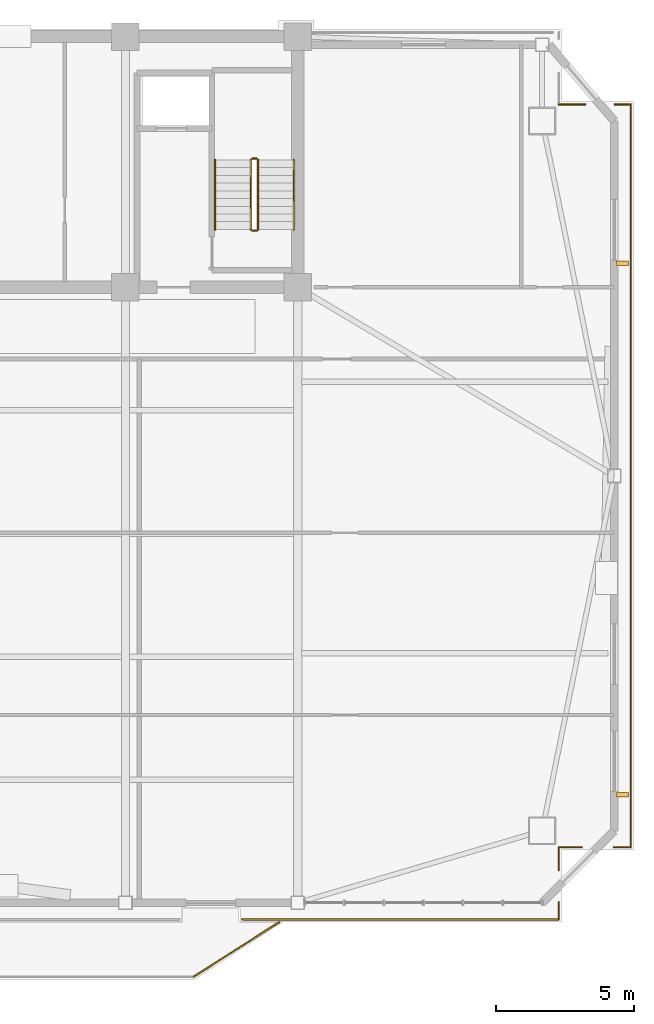
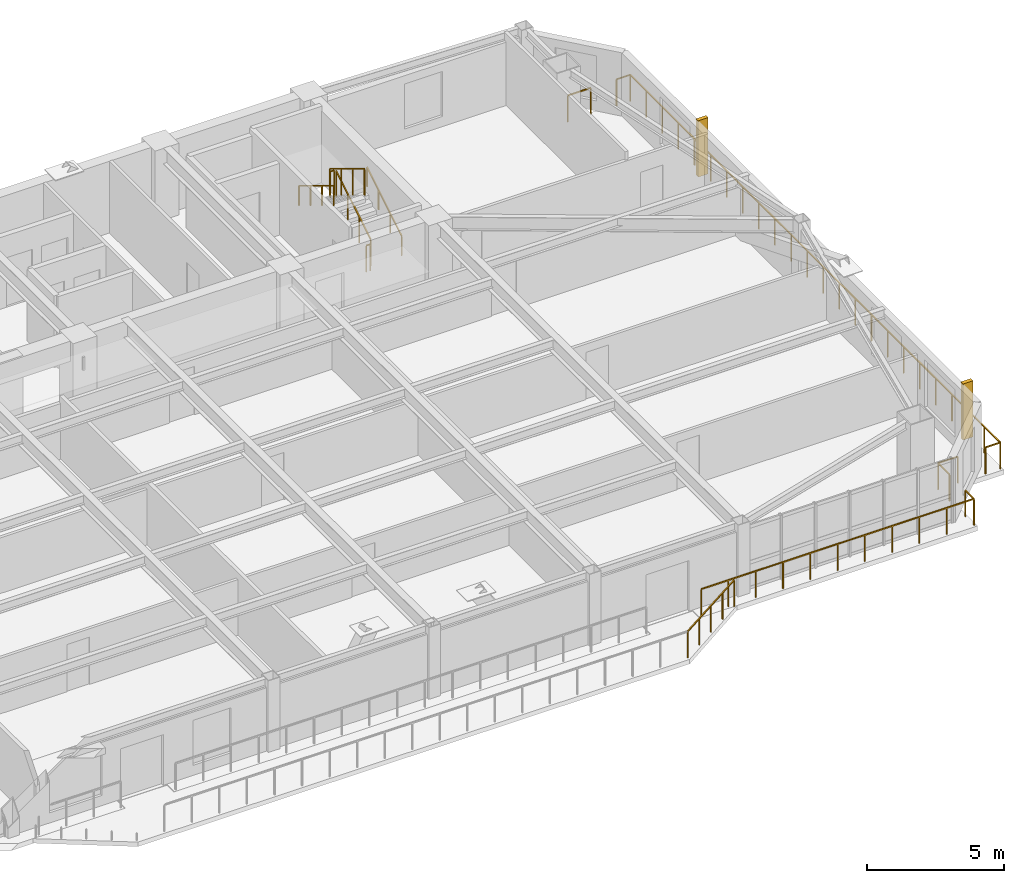
# One storey, part 15 of 17: 15 railings, 2 shading devices.
"""IFC4 building model written with IfcOpenShell, lengths in metres."""

from ifc_helpers import new_model, si_unit, direction, frame, origin, origin_2d, place, context, subcontext, project, spatial, rectangle, extrude, source, transform, mapped, material, type_object, element, save


model = new_model("IFC4")

# Units and contexts
model_context = context("Model", 3, precision=1e-05, world=origin(), true_north=direction((0.0, 1.0)))
body_context = subcontext(model_context, "Body", "Model", "MODEL_VIEW")
ifc_project = project(units=[si_unit("LENGTHUNIT", "METRE"), si_unit("AREAUNIT", "SQUARE_METRE"), si_unit("VOLUMEUNIT", "CUBIC_METRE"), si_unit("PLANEANGLEUNIT", "RADIAN"), si_unit("MASSUNIT", "GRAM", prefix="KILO")], contexts=[model_context])

# Site, building, storey
site_placement = place(None, origin())
site = spatial("IfcSite", under=ifc_project, at=site_placement, CompositionType="ELEMENT")
building_placement = place(site_placement, origin())
building = spatial("IfcBuilding", under=site, at=building_placement, Name="Giltprow Tower", CompositionType="ELEMENT")
storey_placement = place(building_placement, frame((0.0, 0.0, 251.89990234375)))
storey = spatial("IfcBuildingStorey", under=building, at=storey_placement, Name="L64", CompositionType="ELEMENT", Elevation=251.89990234375)

# Railings
ifc_material = material(Name="Anodized bronze", Category="metal")
railing_type_1 = type_object("IfcRailingType", Name="RAIL-BALC-GUARD-1200", PredefinedType="BALUSTRADE", material=ifc_material)
railing_1_placement = place(storey_placement, frame((46.780029296875, 12.43310546875, 0.0)))
element("IfcRailing", 1, at=railing_1_placement, inside=storey, type_object=railing_type_1, Name="L64 Waterfront Balcony Balustrade Seg 3", PredefinedType="BALUSTRADE", context=body_context, shape_type="SweptSolid", body=[
    extrude(rectangle(XDim=0.048095703125, YDim=0.048095703125, at=origin_2d()), frame((0.0, 0.0, 1.17578125), z_axis=(0.842755646126, 0.538296313309, 0.0), x_axis=(-0.538296313309, 0.842755646126, 0.0)), (0.0, 0.0, 1.0), 3.67822265625),
    extrude(rectangle(XDim=0.0419921875, YDim=0.0419921875, at=origin_2d()), origin(), (0.0, 0.0, 1.0), 1.15185546875),
    extrude(rectangle(XDim=0.0419921875, YDim=0.0419921875, at=origin_2d()), frame((0.77490234375, 0.4951171875, 0.0)), (0.0, 0.0, 1.0), 1.15185546875),
    extrude(rectangle(XDim=0.0419921875, YDim=0.0419921875, at=origin_2d()), frame((1.5498046875, 0.989990234375, 0.0)), (0.0, 0.0, 1.0), 1.15185546875),
    extrude(rectangle(XDim=0.0419921875, YDim=0.0419921875, at=origin_2d()), frame((2.324951171875, 1.48486328125, 0.0)), (0.0, 0.0, 1.0), 1.15185546875),
    extrude(rectangle(XDim=0.0419921875, YDim=0.0419921875, at=origin_2d()), frame((3.099853515625, 1.97998046875, 0.0)), (0.0, 0.0, 1.0), 1.15185546875),
])
railing_2_placement = place(storey_placement, frame((62.636962890625, 44.083984375, 0.0)))
element("IfcRailing", 2, at=railing_2_placement, inside=storey, type_object=railing_type_1, Name="L64 Corner Apron Edge Balustrade 1", PredefinedType="BALUSTRADE", context=body_context, shape_type="SweptSolid", body=[
    extrude(rectangle(XDim=0.048095703125, YDim=0.048095703125, at=origin_2d()), frame((0.0, 0.0, 1.17578125), z_axis=(0.0, -1.0, 0.0), x_axis=(1.0, 0.0, 0.0)), (0.0, 0.0, 1.0), 26.9560546875),
    extrude(rectangle(XDim=0.0419921875, YDim=0.0419921875, at=origin_2d()), origin(), (0.0, 0.0, 1.0), 1.15185546875),
    extrude(rectangle(XDim=0.0419921875, YDim=0.0419921875, at=origin_2d()), frame((0.0, -1.172119140625, 0.0)), (0.0, 0.0, 1.0), 1.15185546875),
    extrude(rectangle(XDim=0.0419921875, YDim=0.0419921875, at=origin_2d()), frame((0.0, -2.343994140625, 0.0)), (0.0, 0.0, 1.0), 1.15185546875),
    extrude(rectangle(XDim=0.0419921875, YDim=0.0419921875, at=origin_2d()), frame((0.0, -3.51611328125, 0.0)), (0.0, 0.0, 1.0), 1.15185546875),
    extrude(rectangle(XDim=0.0419921875, YDim=0.0419921875, at=origin_2d()), frame((0.0, -4.68798828125, 0.0)), (0.0, 0.0, 1.0), 1.15185546875),
    extrude(rectangle(XDim=0.0419921875, YDim=0.0419921875, at=origin_2d()), frame((0.0, -5.860107421875, 0.0)), (0.0, 0.0, 1.0), 1.15185546875),
    extrude(rectangle(XDim=0.0419921875, YDim=0.0419921875, at=origin_2d()), frame((0.0, -7.031982421875, 0.0)), (0.0, 0.0, 1.0), 1.15185546875),
    extrude(rectangle(XDim=0.0419921875, YDim=0.0419921875, at=origin_2d()), frame((0.0, -8.2041015625, 0.0)), (0.0, 0.0, 1.0), 1.15185546875),
    extrude(rectangle(XDim=0.0419921875, YDim=0.0419921875, at=origin_2d()), frame((0.0, -9.3759765625, 0.0)), (0.0, 0.0, 1.0), 1.15185546875),
    extrude(rectangle(XDim=0.0419921875, YDim=0.0419921875, at=origin_2d()), frame((0.0, -10.548095703125, 0.0)), (0.0, 0.0, 1.0), 1.15185546875),
    extrude(rectangle(XDim=0.0419921875, YDim=0.0419921875, at=origin_2d()), frame((0.0, -11.719970703125, 0.0)), (0.0, 0.0, 1.0), 1.15185546875),
    extrude(rectangle(XDim=0.0419921875, YDim=0.0419921875, at=origin_2d()), frame((0.0, -12.89208984375, 0.0)), (0.0, 0.0, 1.0), 1.15185546875),
    extrude(rectangle(XDim=0.0419921875, YDim=0.0419921875, at=origin_2d()), frame((0.0, -14.06396484375, 0.0)), (0.0, 0.0, 1.0), 1.15185546875),
    extrude(rectangle(XDim=0.0419921875, YDim=0.0419921875, at=origin_2d()), frame((0.0, -15.236083984375, 0.0)), (0.0, 0.0, 1.0), 1.15185546875),
    extrude(rectangle(XDim=0.0419921875, YDim=0.0419921875, at=origin_2d()), frame((0.0, -16.407958984375, 0.0)), (0.0, 0.0, 1.0), 1.15185546875),
    extrude(rectangle(XDim=0.0419921875, YDim=0.0419921875, at=origin_2d()), frame((0.0, -17.580078125, 0.0)), (0.0, 0.0, 1.0), 1.15185546875),
    extrude(rectangle(XDim=0.0419921875, YDim=0.0419921875, at=origin_2d()), frame((0.0, -18.751953125, 0.0)), (0.0, 0.0, 1.0), 1.15185546875),
    extrude(rectangle(XDim=0.0419921875, YDim=0.0419921875, at=origin_2d()), frame((0.0, -19.924072265625, 0.0)), (0.0, 0.0, 1.0), 1.15185546875),
    extrude(rectangle(XDim=0.0419921875, YDim=0.0419921875, at=origin_2d()), frame((0.0, -21.095947265625, 0.0)), (0.0, 0.0, 1.0), 1.15185546875),
    extrude(rectangle(XDim=0.0419921875, YDim=0.0419921875, at=origin_2d()), frame((0.0, -22.26806640625, 0.0)), (0.0, 0.0, 1.0), 1.15185546875),
    extrude(rectangle(XDim=0.0419921875, YDim=0.0419921875, at=origin_2d()), frame((0.0, -23.43994140625, 0.0)), (0.0, 0.0, 1.0), 1.15185546875),
    extrude(rectangle(XDim=0.0419921875, YDim=0.0419921875, at=origin_2d()), frame((0.0, -24.612060546875, 0.0)), (0.0, 0.0, 1.0), 1.15185546875),
    extrude(rectangle(XDim=0.0419921875, YDim=0.0419921875, at=origin_2d()), frame((0.0, -25.783935546875, 0.0)), (0.0, 0.0, 1.0), 1.15185546875),
    extrude(rectangle(XDim=0.0419921875, YDim=0.0419921875, at=origin_2d()), frame((0.0, -26.9560546875, 0.0)), (0.0, 0.0, 1.0), 1.15185546875),
])
railing_3_placement = place(storey_placement, frame((62.636962890625, 17.1279296875, 0.0)))
element("IfcRailing", 3, at=railing_3_placement, inside=storey, type_object=railing_type_1, Name="L64 Corner Apron Edge Balustrade 2", PredefinedType="BALUSTRADE", context=body_context, shape_type="SweptSolid", body=[
    extrude(rectangle(XDim=0.048095703125, YDim=0.048095703125, at=origin_2d()), frame((0.0, 0.0, 1.17578125), z_axis=(-1.0, 0.0, 0.0), x_axis=(0.0, -1.0, 0.0)), (0.0, 0.0, 1.0), 0.619873046875),
    extrude(rectangle(XDim=0.0419921875, YDim=0.0419921875, at=origin_2d()), origin(), (0.0, 0.0, 1.0), 1.15185546875),
    extrude(rectangle(XDim=0.0419921875, YDim=0.0419921875, at=origin_2d()), frame((-0.619873046875, 0.0, 0.0)), (0.0, 0.0, 1.0), 1.15185546875),
])
railing_4_placement = place(storey_placement, frame((60.85693359375, 17.1279296875, 0.0)))
element("IfcRailing", 4, at=railing_4_placement, inside=storey, type_object=railing_type_1, Name="L64 Corner Apron Edge Balustrade 3", PredefinedType="BALUSTRADE", context=body_context, shape_type="SweptSolid", body=[
    extrude(rectangle(XDim=0.048095703125, YDim=0.048095703125, at=origin_2d()), frame((0.0, 0.0, 1.17578125), z_axis=(-1.0, 0.0, 0.0), x_axis=(0.0, -1.0, 0.0)), (0.0, 0.0, 1.0), 0.8349609375),
    extrude(rectangle(XDim=0.0419921875, YDim=0.0419921875, at=origin_2d()), origin(), (0.0, 0.0, 1.0), 1.15185546875),
    extrude(rectangle(XDim=0.0419921875, YDim=0.0419921875, at=origin_2d()), frame((-0.8349609375, 0.0, 0.0)), (0.0, 0.0, 1.0), 1.15185546875),
])
railing_5_placement = place(storey_placement, frame((60.02197265625, 17.1279296875, 0.0)))
element("IfcRailing", 5, at=railing_5_placement, inside=storey, type_object=railing_type_1, Name="L64 Corner Apron Edge Balustrade 4", PredefinedType="BALUSTRADE", context=body_context, shape_type="SweptSolid", body=[
    extrude(rectangle(XDim=0.048095703125, YDim=0.048095703125, at=origin_2d()), frame((0.0, 0.0, 1.17578125), z_axis=(0.0, -1.0, 0.0), x_axis=(1.0, 0.0, 0.0)), (0.0, 0.0, 1.0), 0.8349609375),
    extrude(rectangle(XDim=0.0419921875, YDim=0.0419921875, at=origin_2d()), origin(), (0.0, 0.0, 1.0), 1.15185546875),
    extrude(rectangle(XDim=0.0419921875, YDim=0.0419921875, at=origin_2d()), frame((0.0, -0.8349609375, 0.0)), (0.0, 0.0, 1.0), 1.15185546875),
])
railing_6_placement = place(storey_placement, frame((60.02197265625, 15.133056640625, 0.0)))
element("IfcRailing", 6, at=railing_6_placement, inside=storey, type_object=railing_type_1, Name="L64 Corner Apron Edge Balustrade 5", PredefinedType="BALUSTRADE", context=body_context, shape_type="SweptSolid", body=[
    extrude(rectangle(XDim=0.048095703125, YDim=0.048095703125, at=origin_2d()), frame((0.0, 0.0, 1.17578125), z_axis=(0.0, -1.0, 0.0), x_axis=(1.0, 0.0, 0.0)), (0.0, 0.0, 1.0), 0.6201171875),
    extrude(rectangle(XDim=0.0419921875, YDim=0.0419921875, at=origin_2d()), origin(), (0.0, 0.0, 1.0), 1.15185546875),
    extrude(rectangle(XDim=0.0419921875, YDim=0.0419921875, at=origin_2d()), frame((0.0, -0.6201171875, 0.0)), (0.0, 0.0, 1.0), 1.15185546875),
])
railing_7_placement = place(storey_placement, frame((60.02197265625, 14.512939453125, 0.0)))
element("IfcRailing", 7, at=railing_7_placement, inside=storey, type_object=railing_type_1, Name="L64 Corner Apron Edge Balustrade 6", PredefinedType="BALUSTRADE", context=body_context, shape_type="SweptSolid", body=[
    extrude(rectangle(XDim=0.048095703125, YDim=0.048095703125, at=origin_2d()), frame((0.0, 0.0, 1.17578125), z_axis=(-1.0, 0.0, 0.0), x_axis=(0.0, -1.0, 0.0)), (0.0, 0.0, 1.0), 11.471923828125),
    extrude(rectangle(XDim=0.0419921875, YDim=0.0419921875, at=origin_2d()), origin(), (0.0, 0.0, 1.0), 1.15185546875),
    extrude(rectangle(XDim=0.0419921875, YDim=0.0419921875, at=origin_2d()), frame((-1.147216796875, 0.0, 0.0)), (0.0, 0.0, 1.0), 1.15185546875),
    extrude(rectangle(XDim=0.0419921875, YDim=0.0419921875, at=origin_2d()), frame((-2.29443359375, 0.0, 0.0)), (0.0, 0.0, 1.0), 1.15185546875),
    extrude(rectangle(XDim=0.0419921875, YDim=0.0419921875, at=origin_2d()), frame((-3.441650390625, 0.0, 0.0)), (0.0, 0.0, 1.0), 1.15185546875),
    extrude(rectangle(XDim=0.0419921875, YDim=0.0419921875, at=origin_2d()), frame((-4.5888671875, 0.0, 0.0)), (0.0, 0.0, 1.0), 1.15185546875),
    extrude(rectangle(XDim=0.0419921875, YDim=0.0419921875, at=origin_2d()), frame((-5.73583984375, 0.0, 0.0)), (0.0, 0.0, 1.0), 1.15185546875),
    extrude(rectangle(XDim=0.0419921875, YDim=0.0419921875, at=origin_2d()), frame((-6.883056640625, 0.0, 0.0)), (0.0, 0.0, 1.0), 1.15185546875),
    extrude(rectangle(XDim=0.0419921875, YDim=0.0419921875, at=origin_2d()), frame((-8.0302734375, 0.0, 0.0)), (0.0, 0.0, 1.0), 1.15185546875),
    extrude(rectangle(XDim=0.0419921875, YDim=0.0419921875, at=origin_2d()), frame((-9.177490234375, 0.0, 0.0)), (0.0, 0.0, 1.0), 1.15185546875),
    extrude(rectangle(XDim=0.0419921875, YDim=0.0419921875, at=origin_2d()), frame((-10.32470703125, 0.0, 0.0)), (0.0, 0.0, 1.0), 1.15185546875),
    extrude(rectangle(XDim=0.0419921875, YDim=0.0419921875, at=origin_2d()), frame((-11.471923828125, 0.0, 0.0)), (0.0, 0.0, 1.0), 1.15185546875),
])
railing_8_placement = place(storey_placement, frame((60.02197265625, 44.083984375, 0.0)))
element("IfcRailing", 8, at=railing_8_placement, inside=storey, type_object=railing_type_1, Name="L64 Corner Apron Edge Balustrade 22", PredefinedType="BALUSTRADE", context=body_context, shape_type="SweptSolid", body=[
    extrude(rectangle(XDim=0.048095703125, YDim=0.048095703125, at=origin_2d()), frame((0.0, 0.0, 1.17578125), z_axis=(1.0, 0.0, 0.0), x_axis=(0.0, 1.0, 0.0)), (0.0, 0.0, 1.0), 0.963134765625),
    extrude(rectangle(XDim=0.0419921875, YDim=0.0419921875, at=origin_2d()), origin(), (0.0, 0.0, 1.0), 1.15185546875),
    extrude(rectangle(XDim=0.0419921875, YDim=0.0419921875, at=origin_2d()), frame((0.963134765625, 0.0, 0.0)), (0.0, 0.0, 1.0), 1.15185546875),
])
railing_9_placement = place(storey_placement, frame((62.06396484375, 44.083984375, 0.0)))
element("IfcRailing", 9, at=railing_9_placement, inside=storey, type_object=railing_type_1, Name="L64 Corner Apron Edge Balustrade 23", PredefinedType="BALUSTRADE", context=body_context, shape_type="SweptSolid", body=[
    extrude(rectangle(XDim=0.048095703125, YDim=0.048095703125, at=origin_2d()), frame((0.0, 0.0, 1.17578125), z_axis=(1.0, 0.0, 0.0), x_axis=(0.0, 1.0, 0.0)), (0.0, 0.0, 1.0), 0.572998046875),
    extrude(rectangle(XDim=0.0419921875, YDim=0.0419921875, at=origin_2d()), origin(), (0.0, 0.0, 1.0), 1.15185546875),
    extrude(rectangle(XDim=0.0419921875, YDim=0.0419921875, at=origin_2d()), frame((0.572998046875, 0.0, 0.0)), (0.0, 0.0, 1.0), 1.15185546875),
])
railing_type_2 = type_object("IfcRailingType", Name="RAIL-STAIR-GUARD-1200", PredefinedType="GUARDRAIL", material=ifc_material)
railing_10_placement = place(storey_placement, frame((49.110107421875, 39.550048828125, 0.170166015625)))
element("IfcRailing", 10, at=railing_10_placement, inside=storey, type_object=railing_type_2, Name="L64 ST-3 stair guard 1", PredefinedType="GUARDRAIL", context=body_context, shape_type="SweptSolid", body=[
    extrude(rectangle(XDim=0.048095703125, YDim=0.048095703125, at=origin_2d()), frame((0.0, 0.0, 1.17578125), z_axis=(0.0, 0.85478489116, 0.518982456201), x_axis=(-1.0, 0.0, 0.0)), (0.0, 0.0, 1.0), 2.9482421875),
    extrude(rectangle(XDim=0.0419921875, YDim=0.0419921875, at=origin_2d()), origin(), (0.0, 0.0, 1.0), 1.15185546875),
    extrude(rectangle(XDim=0.0419921875, YDim=0.0419921875, at=origin_2d()), frame((0.0, 0.840087890625, 0.510009765625)), (0.0, 0.0, 1.0), 1.15185546875),
    extrude(rectangle(XDim=0.0419921875, YDim=0.0419921875, at=origin_2d()), frame((0.0, 1.679931640625, 1.02001953125)), (0.0, 0.0, 1.0), 1.15185546875),
    extrude(rectangle(XDim=0.0419921875, YDim=0.0419921875, at=origin_2d()), frame((0.0, 2.52001953125, 1.530029296875)), (0.0, 0.0, 1.0), 1.15185546875),
])
railing_11_placement = place(storey_placement, frame((49.06005859375, 42.1201171875, 1.7001953125)))
element("IfcRailing", 11, at=railing_11_placement, inside=storey, type_object=railing_type_2, Name="L64 ST-3 stair guard 2", PredefinedType="GUARDRAIL", context=body_context, shape_type="SweptSolid", body=[
    extrude(rectangle(XDim=0.048095703125, YDim=0.048095703125, at=origin_2d()), frame((0.0, 0.0, 1.17578125), z_axis=(-1.0, 0.0, 0.0), x_axis=(0.0, -1.0, 0.0)), (0.0, 0.0, 1.0), 0.16015625),
    extrude(rectangle(XDim=0.0419921875, YDim=0.0419921875, at=origin_2d()), origin(), (0.0, 0.0, 1.0), 1.15185546875),
    extrude(rectangle(XDim=0.0419921875, YDim=0.0419921875, at=origin_2d()), frame((-0.16015625, 0.0, 0.0)), (0.0, 0.0, 1.0), 1.15185546875),
])
railing_12_placement = place(storey_placement, frame((48.85009765625, 42.070068359375, 1.8701171875)))
element("IfcRailing", 12, at=railing_12_placement, inside=storey, type_object=railing_type_2, Name="L64 ST-3 stair guard 3", PredefinedType="GUARDRAIL", context=body_context, shape_type="SweptSolid", body=[
    extrude(rectangle(XDim=0.048095703125, YDim=0.048095703125, at=origin_2d()), frame((0.0, 0.0, 1.17578125), z_axis=(0.0, -0.85478489116, 0.518982456201), x_axis=(1.0, 0.0, 0.0)), (0.0, 0.0, 1.0), 2.9482421875),
    extrude(rectangle(XDim=0.0419921875, YDim=0.0419921875, at=origin_2d()), origin(), (0.0, 0.0, 1.0), 1.15185546875),
    extrude(rectangle(XDim=0.0419921875, YDim=0.0419921875, at=origin_2d()), frame((0.0, -0.840087890625, 0.510009765625)), (0.0, 0.0, 1.0), 1.15185546875),
    extrude(rectangle(XDim=0.0419921875, YDim=0.0419921875, at=origin_2d()), frame((0.0, -1.679931640625, 1.02001953125)), (0.0, 0.0, 1.0), 1.15185546875),
    extrude(rectangle(XDim=0.0419921875, YDim=0.0419921875, at=origin_2d()), frame((0.0, -2.52001953125, 1.530029296875)), (0.0, 0.0, 1.0), 1.15185546875),
])
railing_13_placement = place(storey_placement, frame((49.06005859375, 39.5, 0.0)))
element("IfcRailing", 13, at=railing_13_placement, inside=storey, type_object=railing_type_2, Name="L64 ST-3 stair guard 4", PredefinedType="GUARDRAIL", context=body_context, shape_type="SweptSolid", body=[
    extrude(rectangle(XDim=0.048095703125, YDim=0.048095703125, at=origin_2d()), frame((0.0, 0.0, 1.17578125), z_axis=(-1.0, 0.0, 0.0), x_axis=(0.0, -1.0, 0.0)), (0.0, 0.0, 1.0), 0.16015625),
    extrude(rectangle(XDim=0.0419921875, YDim=0.0419921875, at=origin_2d()), origin(), (0.0, 0.0, 1.0), 1.15185546875),
    extrude(rectangle(XDim=0.0419921875, YDim=0.0419921875, at=origin_2d()), frame((-0.16015625, 0.0, 0.0)), (0.0, 0.0, 1.0), 1.15185546875),
])
railing_type_3 = type_object("IfcRailingType", Name="RAIL-STAIR-HAND-900", PredefinedType="HANDRAIL", material=ifc_material)
railing_14_placement = place(storey_placement, frame((50.409912109375, 39.550048828125, 0.170166015625)))
element("IfcRailing", 14, at=railing_14_placement, inside=storey, type_object=railing_type_3, Name="L64 ST-3 stair handrail 1", PredefinedType="HANDRAIL", context=body_context, shape_type="SweptSolid", body=[
    extrude(rectangle(XDim=0.048095703125, YDim=0.048095703125, at=origin_2d()), frame((0.0, 0.0, 0.8759765625), z_axis=(0.0, 0.85478489116, 0.518982456201), x_axis=(-1.0, 0.0, 0.0)), (0.0, 0.0, 1.0), 2.9482421875),
    extrude(rectangle(XDim=0.0419921875, YDim=0.0419921875, at=origin_2d()), origin(), (0.0, 0.0, 1.0), 0.851806640625),
    extrude(rectangle(XDim=0.0419921875, YDim=0.0419921875, at=origin_2d()), frame((0.0, 0.840087890625, 0.510009765625)), (0.0, 0.0, 1.0), 0.851806640625),
    extrude(rectangle(XDim=0.0419921875, YDim=0.0419921875, at=origin_2d()), frame((0.0, 1.679931640625, 1.02001953125)), (0.0, 0.0, 1.0), 0.851806640625),
    extrude(rectangle(XDim=0.0419921875, YDim=0.0419921875, at=origin_2d()), frame((0.0, 2.52001953125, 1.530029296875)), (0.0, 0.0, 1.0), 0.851806640625),
])
railing_15_placement = place(storey_placement, frame((47.550048828125, 42.070068359375, 1.8701171875)))
element("IfcRailing", 15, at=railing_15_placement, inside=storey, type_object=railing_type_3, Name="L64 ST-3 stair handrail 2", PredefinedType="HANDRAIL", context=body_context, shape_type="SweptSolid", body=[
    extrude(rectangle(XDim=0.048095703125, YDim=0.048095703125, at=origin_2d()), frame((0.0, 0.0, 0.8759765625), z_axis=(0.0, -0.85478489116, 0.518982456201), x_axis=(1.0, 0.0, 0.0)), (0.0, 0.0, 1.0), 2.9482421875),
    extrude(rectangle(XDim=0.0419921875, YDim=0.0419921875, at=origin_2d()), origin(), (0.0, 0.0, 1.0), 0.851806640625),
    extrude(rectangle(XDim=0.0419921875, YDim=0.0419921875, at=origin_2d()), frame((0.0, -0.840087890625, 0.510009765625)), (0.0, 0.0, 1.0), 0.851806640625),
    extrude(rectangle(XDim=0.0419921875, YDim=0.0419921875, at=origin_2d()), frame((0.0, -1.679931640625, 1.02001953125)), (0.0, 0.0, 1.0), 0.851806640625),
    extrude(rectangle(XDim=0.0419921875, YDim=0.0419921875, at=origin_2d()), frame((0.0, -2.52001953125, 1.530029296875)), (0.0, 0.0, 1.0), 0.851806640625),
])

# Shading devices
shading_device_type = type_object("IfcShadingDeviceType", Name="SHD-FIN-420", PredefinedType="USERDEFINED", material=ifc_material)
shared_shape = source(origin(), body_context, "Body", "SweptSolid", [
    extrude(rectangle(XDim=0.419921875, YDim=0.159912109375, at=origin_2d()), origin(), (0.0, 0.0, 1.0), 2.5),
])
for number, where, z_axis, x_axis, name in (
    (16, (62.3369140625, 19.030029296875, 0.35009765625), (0.0, 0.0, 1.0), (1.0, 0.0, 0.0), "L64 E Bronze Vertical Fin 1-1"),
    (17, (62.3369140625, 38.320068359375, 0.35009765625), (0.0, 0.0, 1.0), (1.0, 0.0, 0.0), "L64 E Bronze Vertical Fin 2-1"),
):
    element("IfcShadingDevice", number, at=place(storey_placement, frame(where, z_axis=z_axis, x_axis=x_axis)), inside=storey, type_object=shading_device_type, Name=name, ObjectType="FIN", PredefinedType="USERDEFINED", context=body_context, shape_type="MappedRepresentation", body=[
        mapped(shared_shape, transform((0.0, 0.0, 0.0), x_axis=(1.0, 0.0, 0.0), y_axis=(0.0, 1.0, 0.0), z_axis=(0.0, 0.0, 1.0), scale=1.0)),
    ])

save(model, "model.ifc")
